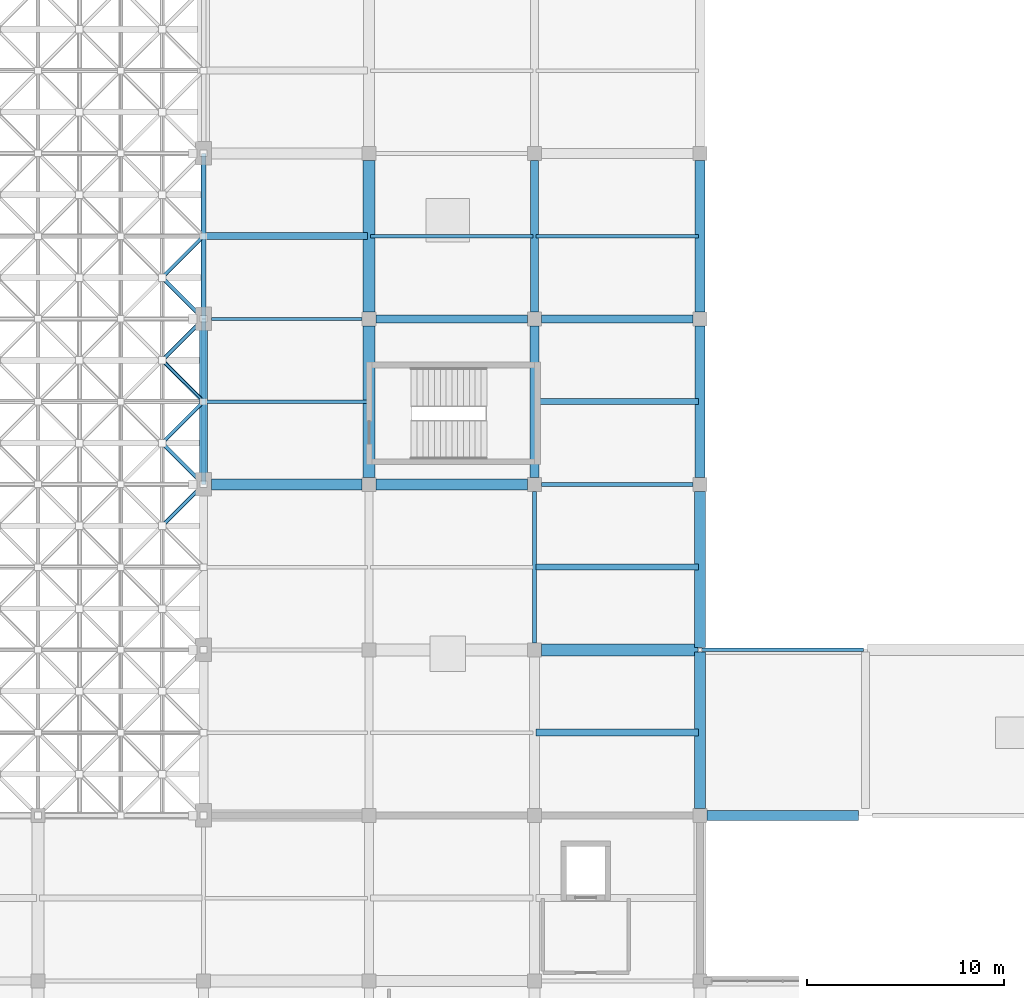
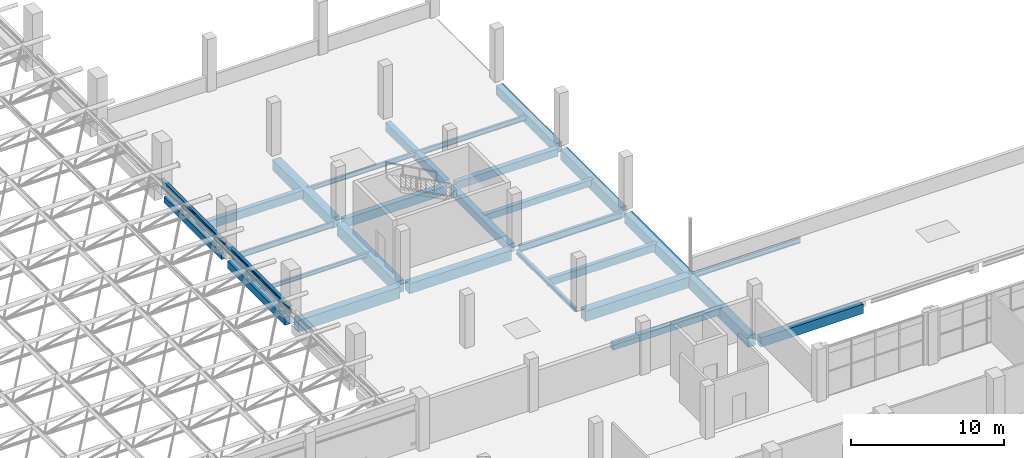
# One storey, part 18 of 64: 29 beams, 7 members.
"""IFC4 building model written with IfcOpenShell, lengths in metres."""

from ifc_helpers import new_model, si_unit, derived_unit, direction, frame, origin, origin_2d, place, context, subcontext, project, spatial, rectangle, hollow_circle, i_section, extrude, material, material_profile, profile_set, type_object, element, save


model = new_model("IFC4")

# Units and contexts
model_context = context("Model", 3, precision=1e-05, world=origin(), true_north=direction((0.0, 1.0)))
body_context = subcontext(model_context, "Body", "Model", "MODEL_VIEW")
ifc_project = project(units=[si_unit("LENGTHUNIT", "METRE"), si_unit("AREAUNIT", "SQUARE_METRE"), si_unit("VOLUMEUNIT", "CUBIC_METRE"), si_unit("PLANEANGLEUNIT", "RADIAN"), si_unit("MASSUNIT", "GRAM", prefix="KILO"), derived_unit("THERMALTRANSMITTANCEUNIT", [(si_unit("POWERUNIT", "WATT"), 1), (si_unit("LENGTHUNIT", "METRE"), -2), (si_unit("THERMODYNAMICTEMPERATUREUNIT", "KELVIN"), -1)])], contexts=[model_context])

# Site, building, storey
site_placement = place(None, origin())
site = spatial("IfcSite", under=ifc_project, at=site_placement, CompositionType="ELEMENT")
building_placement = place(site_placement, origin())
building = spatial("IfcBuilding", under=site, at=building_placement, Name="Barrovel Congress Hotel", CompositionType="ELEMENT")
storey_placement = place(building_placement, frame((0.0, 0.0, 14.10009765625)))
storey = spatial("IfcBuildingStorey", under=building, at=storey_placement, Name="L03", CompositionType="ELEMENT", Elevation=14.10009765625)

# Beams
ifc_material_1 = material(Name="Concrete C40", Category="concrete")
ifc_material_profile_1 = material_profile(ifc_material_1, rectangle(XDim=0.25, YDim=0.5, at=origin_2d()), Name="RC250x500")
ifc_profile_set_1 = profile_set([ifc_material_profile_1], Name="Concrete C40")
beam_type_1 = type_object("IfcBeamType", Name="BM-RC250x500", PredefinedType="SPANDREL", material=ifc_profile_set_1)
beam_1_placement = place(storey_placement, frame((33.60009765625, 63.449951171875, -0.489990234375), z_axis=(0.0, 1.0, 0.0), x_axis=(-1.0, 0.0, 0.0)))
element("IfcBeam", 1, at=beam_1_placement, inside=storey, type_object=beam_type_1, Name="BMY:L03:33.6:63.0-71.4", PredefinedType="SPANDREL", context=body_context, shape_type="SweptSolid", body=[
    extrude(rectangle(XDim=0.25, YDim=0.5, at=origin_2d()), origin(), (0.0, 0.0, 1.0), 7.5),
])
ifc_material_profile_2 = material_profile(ifc_material_1, rectangle(XDim=0.300048828125, YDim=0.5, at=origin_2d()), Name="RC300x500")
ifc_profile_set_2 = profile_set([ifc_material_profile_2], Name="Concrete C40")
beam_type_2 = type_object("IfcBeamType", Name="BM-RC300x500", PredefinedType="JOIST", material=ifc_profile_set_2)
beam_2_placement = place(storey_placement, frame((50.47998046875, 58.800048828125, -0.489990234375), z_axis=(1.0, 0.0, 0.0), x_axis=(0.0, 1.0, 0.0)))
element("IfcBeam", 2, at=beam_2_placement, inside=storey, type_object=beam_type_2, Name="JST:L03:50.4:58.8", PredefinedType="JOIST", context=body_context, shape_type="SweptSolid", body=[
    extrude(rectangle(XDim=0.300048828125, YDim=0.5, at=origin_2d()), origin(), (0.0, 0.0, 1.0), 8.239990234375),
])
ifc_material_profile_3 = material_profile(ifc_material_1, rectangle(XDim=0.300048828125, YDim=0.60009765625, at=origin_2d()), Name="RC300x600")
ifc_profile_set_3 = profile_set([ifc_material_profile_3], Name="Concrete C40")
beam_type_3 = type_object("IfcBeamType", Name="BM-RC300x600", PredefinedType="JOIST", material=ifc_profile_set_3)
beam_3_placement = place(storey_placement, frame((50.47998046875, 50.39990234375, -0.5400390625), z_axis=(1.0, 0.0, 0.0), x_axis=(0.0, 1.0, 0.0)))
element("IfcBeam", 3, at=beam_3_placement, inside=storey, type_object=beam_type_3, Name="JST:L03:50.4:50.4", PredefinedType="JOIST", context=body_context, shape_type="SweptSolid", body=[
    extrude(rectangle(XDim=0.300048828125, YDim=0.60009765625, at=origin_2d()), origin(), (0.0, 0.0, 1.0), 8.239990234375),
])
ifc_material_profile_4 = material_profile(ifc_material_1, rectangle(XDim=0.35009765625, YDim=0.550048828125, at=origin_2d()), Name="RC350x550")
ifc_profile_set_4 = profile_set([ifc_material_profile_4], Name="Concrete C40")
beam_type_4 = type_object("IfcBeamType", Name="BM-RC350x550", PredefinedType="JOIST", material=ifc_profile_set_4)
beam_4_placement = place(storey_placement, frame((50.47998046875, 42.0, -0.51513671875), z_axis=(1.0, 0.0, 0.0), x_axis=(0.0, 1.0, 0.0)))
element("IfcBeam", 4, at=beam_4_placement, inside=storey, type_object=beam_type_4, Name="JST:L03:50.4:42.0", PredefinedType="JOIST", context=body_context, shape_type="SweptSolid", body=[
    extrude(rectangle(XDim=0.35009765625, YDim=0.550048828125, at=origin_2d()), origin(), (0.0, 0.0, 1.0), 8.239990234375),
])
ifc_material_profile_5 = material_profile(ifc_material_1, rectangle(XDim=0.35009765625, YDim=0.64990234375, at=origin_2d()), Name="RC350x650")
ifc_profile_set_5 = profile_set([ifc_material_profile_5], Name="Concrete C40")
beam_type_5 = type_object("IfcBeamType", Name="BM-RC350x650", PredefinedType="JOIST", material=ifc_profile_set_5)
beam_5_placement = place(storey_placement, frame((33.679931640625, 67.199951171875, -0.565185546875), z_axis=(1.0, 0.0, 0.0), x_axis=(0.0, 1.0, 0.0)))
element("IfcBeam", 5, at=beam_5_placement, inside=storey, type_object=beam_type_5, Name="JST:L03:33.6:67.2", PredefinedType="JOIST", context=body_context, shape_type="SweptSolid", body=[
    extrude(rectangle(XDim=0.35009765625, YDim=0.64990234375, at=origin_2d()), origin(), (0.0, 0.0, 1.0), 8.239990234375),
])
ifc_material_profile_6 = material_profile(ifc_material_1, rectangle(XDim=0.39990234375, YDim=0.60009765625, at=origin_2d()), Name="RC400x600")
ifc_profile_set_6 = profile_set([ifc_material_profile_6], Name="Concrete C40")
beam_type_6 = type_object("IfcBeamType", Name="BM-RC400x600", PredefinedType="BEAM", material=ifc_profile_set_6)
beam_6_placement = place(storey_placement, frame((50.75, 63.0, -0.5400390625), z_axis=(1.0, 0.0, 0.0), x_axis=(0.0, 1.0, 0.0)))
element("IfcBeam", 6, at=beam_6_placement, inside=storey, type_object=beam_type_6, Name="BMX:L03:63.0:50.4-58.8", PredefinedType="BEAM", context=body_context, shape_type="SweptSolid", body=[
    extrude(rectangle(XDim=0.39990234375, YDim=0.60009765625, at=origin_2d()), origin(), (0.0, 0.0, 1.0), 7.699951171875),
])
beam_7_placement = place(storey_placement, frame((33.60009765625, 55.050048828125, -0.5400390625), z_axis=(0.0, 1.0, 0.0), x_axis=(-1.0, 0.0, 0.0)))
element("IfcBeam", 7, at=beam_7_placement, inside=storey, type_object=beam_type_6, Name="BMY:L03:33.6:54.6-63.0", PredefinedType="BEAM", context=body_context, shape_type="SweptSolid", body=[
    extrude(rectangle(XDim=0.39990234375, YDim=0.60009765625, at=origin_2d()), origin(), (0.0, 0.0, 1.0), 7.5),
])
ifc_material_profile_7 = material_profile(ifc_material_1, rectangle(XDim=0.39990234375, YDim=0.699951171875, at=origin_2d()), Name="RC400x700")
ifc_profile_set_7 = profile_set([ifc_material_profile_7], Name="Concrete C40")
beam_type_7 = type_object("IfcBeamType", Name="BM-RC400x700", PredefinedType="BEAM", material=ifc_profile_set_7)
for number, where, z_axis, x_axis, name in (
    (8, (42.35009765625, 63.0, -0.590087890625), (1.0, 0.0, 0.0), (0.0, 1.0, 0.0), "BMX:L03:63.0:42.0-50.4"),
    (9, (50.39990234375, 63.35009765625, -0.590087890625), (0.0, 1.0, 0.0), (-1.0, 0.0, 0.0), "BMY:L03:50.4:63.0-71.4"),
):
    element("IfcBeam", number, at=place(storey_placement, frame(where, z_axis=z_axis, x_axis=x_axis)), inside=storey, type_object=beam_type_7, Name=name, PredefinedType="BEAM", context=body_context, shape_type="SweptSolid", body=[
        extrude(rectangle(XDim=0.39990234375, YDim=0.699951171875, at=origin_2d()), origin(), (0.0, 0.0, 1.0), 7.699951171875),
    ])
ifc_material_profile_8 = material_profile(ifc_material_1, rectangle(XDim=0.449951171875, YDim=0.64990234375, at=origin_2d()), Name="RC450x650")
ifc_profile_set_8 = profile_set([ifc_material_profile_8], Name="Concrete C40")
beam_type_8 = type_object("IfcBeamType", Name="BM-RC450x650", PredefinedType="BEAM", material=ifc_profile_set_8)
beam_8_placement = place(storey_placement, frame((50.39990234375, 54.949951171875, -0.565185546875), z_axis=(0.0, 1.0, 0.0), x_axis=(-1.0, 0.0, 0.0)))
element("IfcBeam", 10, at=beam_8_placement, inside=storey, type_object=beam_type_8, Name="BMY:L03:50.4:54.6-63.0", PredefinedType="BEAM", context=body_context, shape_type="SweptSolid", body=[
    extrude(rectangle(XDim=0.449951171875, YDim=0.64990234375, at=origin_2d()), origin(), (0.0, 0.0, 1.0), 7.699951171875),
])
ifc_material_profile_9 = material_profile(ifc_material_1, rectangle(XDim=0.5, YDim=0.75, at=origin_2d()), Name="RC500x750")
ifc_profile_set_9 = profile_set([ifc_material_profile_9], Name="Concrete C40")
beam_type_9 = type_object("IfcBeamType", Name="BM-RC500x750", PredefinedType="BEAM", material=ifc_profile_set_9)
beam_9_placement = place(storey_placement, frame((59.14990234375, 37.800048828125, -0.614990234375), z_axis=(1.0, 0.0, 0.0), x_axis=(0.0, 1.0, 0.0)))
element("IfcBeam", 11, at=beam_9_placement, inside=storey, type_object=beam_type_9, Name="BMX:L03:37.8:58.8-67.2", PredefinedType="BEAM", context=body_context, shape_type="SweptSolid", body=[
    extrude(rectangle(XDim=0.5, YDim=0.75, at=origin_2d()), origin(), (0.0, 0.0, 1.0), 7.7001953125),
])
beam_10_placement = place(storey_placement, frame((58.800048828125, 63.35009765625, -0.614990234375), z_axis=(0.0, 1.0, 0.0), x_axis=(-1.0, 0.0, 0.0)))
element("IfcBeam", 12, at=beam_10_placement, inside=storey, type_object=beam_type_9, Name="BMY:L03:58.8:63.0-71.4", PredefinedType="BEAM", context=body_context, shape_type="SweptSolid", body=[
    extrude(rectangle(XDim=0.5, YDim=0.75, at=origin_2d()), origin(), (0.0, 0.0, 1.0), 7.699951171875),
])
ifc_material_profile_10 = material_profile(ifc_material_1, rectangle(XDim=0.5, YDim=0.85009765625, at=origin_2d()), Name="RC500x850")
ifc_profile_set_10 = profile_set([ifc_material_profile_10], Name="Concrete C40")
beam_type_10 = type_object("IfcBeamType", Name="BM-RC500x850", PredefinedType="BEAM", material=ifc_profile_set_10)
beam_11_placement = place(storey_placement, frame((58.800048828125, 54.949951171875, -0.6650390625), z_axis=(0.0, 1.0, 0.0), x_axis=(-1.0, 0.0, 0.0)))
element("IfcBeam", 13, at=beam_11_placement, inside=storey, type_object=beam_type_10, Name="BMY:L03:58.8:54.6-63.0", PredefinedType="BEAM", context=body_context, shape_type="SweptSolid", body=[
    extrude(rectangle(XDim=0.5, YDim=0.85009765625, at=origin_2d()), origin(), (0.0, 0.0, 1.0), 7.699951171875),
])
ifc_material_profile_11 = material_profile(ifc_material_1, rectangle(XDim=0.550048828125, YDim=0.800048828125, at=origin_2d()), Name="RC550x800")
ifc_profile_set_11 = profile_set([ifc_material_profile_11], Name="Concrete C40")
beam_type_11 = type_object("IfcBeamType", Name="BM-RC550x800", PredefinedType="BEAM", material=ifc_profile_set_11)
beam_12_placement = place(storey_placement, frame((42.35009765625, 54.60009765625, -0.64013671875), z_axis=(1.0, 0.0, 0.0), x_axis=(0.0, 1.0, 0.0)))
element("IfcBeam", 14, at=beam_12_placement, inside=storey, type_object=beam_type_11, Name="BMX:L03:54.6:42.0-50.4", PredefinedType="BEAM", context=body_context, shape_type="SweptSolid", body=[
    extrude(rectangle(XDim=0.550048828125, YDim=0.800048828125, at=origin_2d()), origin(), (0.0, 0.0, 1.0), 7.699951171875),
])
beam_13_placement = place(storey_placement, frame((58.800048828125, 46.3095703125, -0.64013671875), z_axis=(0.0, 1.0, 0.0), x_axis=(-1.0, 0.0, 0.0)))
element("IfcBeam", 15, at=beam_13_placement, inside=storey, type_object=beam_type_11, Name="BMY:L03:58.8:46.2-54.6", PredefinedType="BEAM", context=body_context, shape_type="SweptSolid", body=[
    extrude(rectangle(XDim=0.550048828125, YDim=0.800048828125, at=origin_2d()), origin(), (0.0, 0.0, 1.0), 7.9404296875),
])
ifc_material_profile_12 = material_profile(ifc_material_1, rectangle(XDim=0.550048828125, YDim=0.89990234375, at=origin_2d()), Name="RC550x900")
ifc_profile_set_12 = profile_set([ifc_material_profile_12], Name="Concrete C40")
beam_type_12 = type_object("IfcBeamType", Name="BM-RC550x900", PredefinedType="BEAM", material=ifc_profile_set_12)
beam_14_placement = place(storey_placement, frame((34.0, 54.60009765625, -0.690185546875), z_axis=(1.0, 0.0, 0.0), x_axis=(0.0, 1.0, 0.0)))
element("IfcBeam", 16, at=beam_14_placement, inside=storey, type_object=beam_type_12, Name="BMX:L03:54.6:33.6-42.0", PredefinedType="BEAM", context=body_context, shape_type="SweptSolid", body=[
    extrude(rectangle(XDim=0.550048828125, YDim=0.89990234375, at=origin_2d()), origin(), (0.0, 0.0, 1.0), 7.64990234375),
])
beam_15_placement = place(storey_placement, frame((58.800048828125, 38.14990234375, -0.690185546875), z_axis=(0.0, 1.0, 0.0), x_axis=(-1.0, 0.0, 0.0)))
element("IfcBeam", 17, at=beam_15_placement, inside=storey, type_object=beam_type_12, Name="BMY:L03:58.8:37.8-46.2", PredefinedType="BEAM", context=body_context, shape_type="SweptSolid", body=[
    extrude(rectangle(XDim=0.550048828125, YDim=0.89990234375, at=origin_2d()), origin(), (0.0, 0.0, 1.0), 7.940673828125),
])
ifc_material_profile_13 = material_profile(ifc_material_1, rectangle(XDim=0.60009765625, YDim=0.85009765625, at=origin_2d()), Name="RC600x850")
ifc_profile_set_13 = profile_set([ifc_material_profile_13], Name="Concrete C40")
beam_type_13 = type_object("IfcBeamType", Name="BM-RC600x850", PredefinedType="BEAM", material=ifc_profile_set_13)
beam_16_placement = place(storey_placement, frame((50.75, 46.199951171875, -0.6650390625), z_axis=(1.0, 0.0, 0.0), x_axis=(0.0, 1.0, 0.0)))
element("IfcBeam", 18, at=beam_16_placement, inside=storey, type_object=beam_type_13, Name="BMX:L03:46.2:50.4-58.8", PredefinedType="BEAM", context=body_context, shape_type="SweptSolid", body=[
    extrude(rectangle(XDim=0.60009765625, YDim=0.85009765625, at=origin_2d()), origin(), (0.0, 0.0, 1.0), 7.9404296875),
])
beam_17_placement = place(storey_placement, frame((42.0, 63.35009765625, -0.6650390625), z_axis=(0.0, 1.0, 0.0), x_axis=(-1.0, 0.0, 0.0)))
element("IfcBeam", 19, at=beam_17_placement, inside=storey, type_object=beam_type_13, Name="BMY:L03:42.0:63.0-71.4", PredefinedType="BEAM", context=body_context, shape_type="SweptSolid", body=[
    extrude(rectangle(XDim=0.60009765625, YDim=0.85009765625, at=origin_2d()), origin(), (0.0, 0.0, 1.0), 7.699951171875),
])
ifc_material_profile_14 = material_profile(ifc_material_1, rectangle(XDim=0.60009765625, YDim=0.949951171875, at=origin_2d()), Name="RC600x950")
ifc_profile_set_14 = profile_set([ifc_material_profile_14], Name="Concrete C40")
beam_type_14 = type_object("IfcBeamType", Name="BM-RC600x950", PredefinedType="BEAM", material=ifc_profile_set_14)
beam_18_placement = place(storey_placement, frame((42.0, 54.949951171875, -0.715087890625), z_axis=(0.0, 1.0, 0.0), x_axis=(-1.0, 0.0, 0.0)))
element("IfcBeam", 20, at=beam_18_placement, inside=storey, type_object=beam_type_14, Name="BMY:L03:42.0:54.6-63.0", PredefinedType="BEAM", context=body_context, shape_type="SweptSolid", body=[
    extrude(rectangle(XDim=0.60009765625, YDim=0.949951171875, at=origin_2d()), origin(), (0.0, 0.0, 1.0), 7.699951171875),
])

# Members
ifc_material_2 = material(Name="Steel ASTM A500 Grade C", Category="steel")
ifc_material_profile_15 = material_profile(ifc_material_2, hollow_circle(Radius=0.096923828125, WallThickness=0.0087890625, at=origin_2d()), Name="CHS193.7x9.5")
ifc_profile_set_15 = profile_set([ifc_material_profile_15], Name="Steel ASTM A500 Grade C")
member_type = type_object("IfcMemberType", Name="MEM-CHS193.7x9.5", PredefinedType="BRACE", material=ifc_profile_set_15)
member_1_placement = place(storey_placement, frame((33.60009765625, 54.60009765625, 0.599853515625), z_axis=(-0.527601167383, -0.527601167383, 0.665788266908), x_axis=(0.707106781187, -0.707106781187, 0.0)))
element("IfcMember", 21, at=member_1_placement, inside=storey, type_object=member_type, Name="Space Frame Roof Truss Diagonal 7-3-4", PredefinedType="BRACE", context=body_context, shape_type="SweptSolid", body=[
    extrude(hollow_circle(Radius=0.096923828125, WallThickness=0.0087890625, at=origin_2d()), origin(), (0.0, 0.0, 1.0), 3.98046875),
])
member_2_placement = place(storey_placement, frame((33.60009765625, 54.60009765625, 0.599853515625), z_axis=(-0.527618240532, 0.527556903839, 0.665809811786), x_axis=(-0.707065676302, -0.707147883682, 0.0)))
element("IfcMember", 22, at=member_2_placement, inside=storey, type_object=member_type, Name="Space Frame Roof Truss Diagonal 7-4-2", PredefinedType="BRACE", context=body_context, shape_type="SweptSolid", body=[
    extrude(hollow_circle(Radius=0.096923828125, WallThickness=0.0087890625, at=origin_2d()), origin(), (0.0, 0.0, 1.0), 3.980224609375),
])
member_3_placement = place(storey_placement, frame((33.60009765625, 58.800048828125, 0.599853515625), z_axis=(-0.527601167383, -0.527601167383, 0.665788266908), x_axis=(0.707106781187, -0.707106781187, 0.0)))
element("IfcMember", 23, at=member_3_placement, inside=storey, type_object=member_type, Name="Space Frame Roof Truss Diagonal 7-4-4", PredefinedType="BRACE", context=body_context, shape_type="SweptSolid", body=[
    extrude(hollow_circle(Radius=0.096923828125, WallThickness=0.0087890625, at=origin_2d()), origin(), (0.0, 0.0, 1.0), 3.98046875),
])
member_4_placement = place(storey_placement, frame((33.60009765625, 58.800048828125, 0.599853515625), z_axis=(-0.527618240532, 0.527556903839, 0.665809811786), x_axis=(-0.707065676302, -0.707147883682, 0.0)))
element("IfcMember", 24, at=member_4_placement, inside=storey, type_object=member_type, Name="Space Frame Roof Truss Diagonal 7-5-2", PredefinedType="BRACE", context=body_context, shape_type="SweptSolid", body=[
    extrude(hollow_circle(Radius=0.096923828125, WallThickness=0.0087890625, at=origin_2d()), origin(), (0.0, 0.0, 1.0), 3.980224609375),
])
for number, where, z_axis, x_axis, name in (
    (25, (33.60009765625, 63.0, 0.599853515625), (-0.527601167383, -0.527601167383, 0.665788266908), (0.707106781187, -0.707106781187, 0.0), "Space Frame Roof Truss Diagonal 7-5-4"),
    (26, (33.60009765625, 63.0, 0.599853515625), (-0.527601167383, 0.527601167383, 0.665788266908), (-0.707106781187, -0.707106781187, 0.0), "Space Frame Roof Truss Diagonal 7-6-2"),
):
    element("IfcMember", number, at=place(storey_placement, frame(where, z_axis=z_axis, x_axis=x_axis)), inside=storey, type_object=member_type, Name=name, PredefinedType="BRACE", context=body_context, shape_type="SweptSolid", body=[
        extrude(hollow_circle(Radius=0.096923828125, WallThickness=0.0087890625, at=origin_2d()), origin(), (0.0, 0.0, 1.0), 3.98046875),
    ])
member_5_placement = place(storey_placement, frame((33.60009765625, 67.199951171875, 0.599853515625), z_axis=(-0.527618240532, -0.527556903839, 0.665809811786), x_axis=(0.707065676302, -0.707147883682, 0.0)))
element("IfcMember", 27, at=member_5_placement, inside=storey, type_object=member_type, Name="Space Frame Roof Truss Diagonal 7-6-4", PredefinedType="BRACE", context=body_context, shape_type="SweptSolid", body=[
    extrude(hollow_circle(Radius=0.096923828125, WallThickness=0.0087890625, at=origin_2d()), origin(), (0.0, 0.0, 1.0), 3.980224609375),
])

# Beams
ifc_material_3 = material(Name="Steel ASTM A992 Grade 50", Category="steel")
ifc_material_profile_16 = material_profile(ifc_material_3, i_section(OverallWidth=0.1650390625, OverallDepth=0.31005859375, WebThickness=0.005859375, FlangeThickness=0.009765625, FilletRadius=0.010986328125, at=origin_2d()), Name="W310x39")
ifc_profile_set_16 = profile_set([ifc_material_profile_16], Name="Steel ASTM A992 Grade 50")
beam_type_15 = type_object("IfcBeamType", Name="SBM-W310x39", PredefinedType="JOIST", material=ifc_profile_set_16)
beam_19_placement = place(storey_placement, frame((33.679931640625, 58.800048828125, -0.39501953125), z_axis=(1.0, 0.0, 0.0), x_axis=(0.0, 1.0, 0.0)))
element("IfcBeam", 28, at=beam_19_placement, inside=storey, type_object=beam_type_15, Name="JST:L03:33.6:58.8", PredefinedType="JOIST", context=body_context, shape_type="SweptSolid", body=[
    extrude(i_section(OverallWidth=0.1650390625, OverallDepth=0.31005859375, WebThickness=0.005859375, FlangeThickness=0.009765625, FilletRadius=0.010986328125, at=origin_2d()), origin(), (0.0, 0.0, 1.0), 8.239990234375),
])
ifc_material_profile_17 = material_profile(ifc_material_3, i_section(OverallWidth=0.205078125, OverallDepth=0.31005859375, WebThickness=0.009521484375, FlangeThickness=0.016357421875, FilletRadius=0.012939453125, at=origin_2d()), Name="W310x74")
ifc_profile_set_17 = profile_set([ifc_material_profile_17], Name="Steel ASTM A992 Grade 50")
beam_type_16 = type_object("IfcBeamType", Name="SBM-W310x74", PredefinedType="SPANDREL", material=ifc_profile_set_17)
beam_20_placement = place(storey_placement, frame((50.39990234375, 46.550048828125, -0.39501953125), z_axis=(0.0, 1.0, 0.0), x_axis=(-1.0, 0.0, 0.0)))
element("IfcBeam", 29, at=beam_20_placement, inside=storey, type_object=beam_type_16, Name="BMY:L03:50.4:46.2-54.6", PredefinedType="SPANDREL", context=body_context, shape_type="SweptSolid", body=[
    extrude(i_section(OverallWidth=0.205078125, OverallDepth=0.31005859375, WebThickness=0.009521484375, FlangeThickness=0.016357421875, FilletRadius=0.012939453125, at=origin_2d()), origin(), (0.0, 0.0, 1.0), 7.699951171875),
])
ifc_material_profile_18 = material_profile(ifc_material_3, i_section(OverallWidth=0.1708984375, OverallDepth=0.35205078125, WebThickness=0.0068359375, FlangeThickness=0.009765625, FilletRadius=0.011962890625, at=origin_2d()), Name="W360x44")
ifc_profile_set_18 = profile_set([ifc_material_profile_18], Name="Steel ASTM A992 Grade 50")
beam_type_17 = type_object("IfcBeamType", Name="SBM-W360x44", PredefinedType="JOIST", material=ifc_profile_set_18)
beam_21_placement = place(storey_placement, frame((42.080078125, 67.199951171875, -0.416015625), z_axis=(1.0, 0.0, 0.0), x_axis=(0.0, 1.0, 0.0)))
element("IfcBeam", 30, at=beam_21_placement, inside=storey, type_object=beam_type_17, Name="JST:L03:42.0:67.2", PredefinedType="JOIST", context=body_context, shape_type="SweptSolid", body=[
    extrude(i_section(OverallWidth=0.1708984375, OverallDepth=0.35205078125, WebThickness=0.0068359375, FlangeThickness=0.009765625, FilletRadius=0.011962890625, at=origin_2d()), origin(), (0.0, 0.0, 1.0), 8.239990234375),
])
ifc_material_profile_19 = material_profile(ifc_material_3, i_section(OverallWidth=0.177001953125, OverallDepth=0.403076171875, WebThickness=0.007568359375, FlangeThickness=0.010986328125, FilletRadius=0.011962890625, at=origin_2d()), Name="W410x53")
ifc_profile_set_19 = profile_set([ifc_material_profile_19], Name="Steel ASTM A992 Grade 50")
beam_type_18 = type_object("IfcBeamType", Name="SBM-W410x53", PredefinedType="JOIST", material=ifc_profile_set_19)
beam_22_placement = place(storey_placement, frame((50.47998046875, 67.199951171875, -0.441650390625), z_axis=(1.0, 0.0, 0.0), x_axis=(0.0, 1.0, 0.0)))
element("IfcBeam", 31, at=beam_22_placement, inside=storey, type_object=beam_type_18, Name="JST:L03:50.4:67.2", PredefinedType="JOIST", context=body_context, shape_type="SweptSolid", body=[
    extrude(i_section(OverallWidth=0.177001953125, OverallDepth=0.403076171875, WebThickness=0.007568359375, FlangeThickness=0.010986328125, FilletRadius=0.011962890625, at=origin_2d()), origin(), (0.0, 0.0, 1.0), 8.239990234375),
])
ifc_material_profile_20 = material_profile(ifc_material_3, i_section(OverallWidth=0.178955078125, OverallDepth=0.409912109375, WebThickness=0.0087890625, FlangeThickness=0.014404296875, FilletRadius=0.011962890625, at=origin_2d()), Name="W410x67")
ifc_profile_set_20 = profile_set([ifc_material_profile_20], Name="Steel ASTM A992 Grade 50")
beam_type_19 = type_object("IfcBeamType", Name="SBM-W410x67", PredefinedType="BEAM", material=ifc_profile_set_20)
beam_23_placement = place(storey_placement, frame((58.909423828125, 46.199951171875, -0.445068359375), z_axis=(1.0, 0.0, 0.0), x_axis=(0.0, 1.0, 0.0)))
element("IfcBeam", 32, at=beam_23_placement, inside=storey, type_object=beam_type_19, Name="BMX:L03:46.2:58.8-67.2", PredefinedType="BEAM", context=body_context, shape_type="SweptSolid", body=[
    extrude(i_section(OverallWidth=0.178955078125, OverallDepth=0.409912109375, WebThickness=0.0087890625, FlangeThickness=0.014404296875, FilletRadius=0.011962890625, at=origin_2d()), origin(), (0.0, 0.0, 1.0), 8.18115234375),
])
ifc_material_profile_21 = material_profile(ifc_material_3, i_section(OverallWidth=0.154052734375, OverallDepth=0.458984375, WebThickness=0.009033203125, FlangeThickness=0.015380859375, FilletRadius=0.012939453125, at=origin_2d()), Name="W460x68")
ifc_profile_set_21 = profile_set([ifc_material_profile_21], Name="Steel ASTM A992 Grade 50")
beam_type_20 = type_object("IfcBeamType", Name="SBM-W460x68", PredefinedType="BEAM", material=ifc_profile_set_21)
beam_24_placement = place(storey_placement, frame((34.0, 63.0, -0.469482421875), z_axis=(1.0, 0.0, 0.0), x_axis=(0.0, 1.0, 0.0)))
element("IfcBeam", 33, at=beam_24_placement, inside=storey, type_object=beam_type_20, Name="BMX:L03:63.0:33.6-42.0", PredefinedType="BEAM", context=body_context, shape_type="SweptSolid", body=[
    extrude(i_section(OverallWidth=0.154052734375, OverallDepth=0.458984375, WebThickness=0.009033203125, FlangeThickness=0.015380859375, FilletRadius=0.012939453125, at=origin_2d()), origin(), (0.0, 0.0, 1.0), 7.64990234375),
])
ifc_material_profile_22 = material_profile(ifc_material_3, i_section(OverallWidth=0.208984375, OverallDepth=0.532958984375, WebThickness=0.01025390625, FlangeThickness=0.015625, FilletRadius=0.013916015625, at=origin_2d()), Name="W530x92")
ifc_profile_set_22 = profile_set([ifc_material_profile_22], Name="Steel ASTM A992 Grade 50")
beam_type_21 = type_object("IfcBeamType", Name="SBM-W530x92", PredefinedType="BEAM", material=ifc_profile_set_22)
beam_25_placement = place(storey_placement, frame((50.75, 54.60009765625, -0.506591796875), z_axis=(1.0, 0.0, 0.0), x_axis=(0.0, 1.0, 0.0)))
element("IfcBeam", 34, at=beam_25_placement, inside=storey, type_object=beam_type_21, Name="BMX:L03:54.6:50.4-58.8", PredefinedType="BEAM", context=body_context, shape_type="SweptSolid", body=[
    extrude(i_section(OverallWidth=0.208984375, OverallDepth=0.532958984375, WebThickness=0.01025390625, FlangeThickness=0.015625, FilletRadius=0.013916015625, at=origin_2d()), origin(), (0.0, 0.0, 1.0), 7.699951171875),
])
ifc_material_profile_23 = material_profile(ifc_material_3, i_section(OverallWidth=0.22900390625, OverallDepth=0.612060546875, WebThickness=0.011962890625, FlangeThickness=0.01953125, FilletRadius=0.014892578125, at=origin_2d()), Name="W610x125")
ifc_profile_set_23 = profile_set([ifc_material_profile_23], Name="Steel ASTM A992 Grade 50")
beam_type_22 = type_object("IfcBeamType", Name="SBM-W610x125", PredefinedType="BEAM", material=ifc_profile_set_23)
for number, where, z_axis, x_axis, name in (
    (35, (33.60009765625, 54.60009765625, 0.599853515625), (0.0, 1.0, 0.0), (-1.0, 0.0, 0.0), "Congress Roof Truss Collector Beam 34-3"),
    (36, (33.60009765625, 63.0, 0.599853515625), (0.0, 1.0, 0.0), (-1.0, 0.0, 0.0), "Congress Roof Truss Collector Beam 34-4"),
):
    element("IfcBeam", number, at=place(storey_placement, frame(where, z_axis=z_axis, x_axis=x_axis)), inside=storey, type_object=beam_type_22, Name=name, PredefinedType="BEAM", context=body_context, shape_type="SweptSolid", body=[
        extrude(i_section(OverallWidth=0.22900390625, OverallDepth=0.612060546875, WebThickness=0.011962890625, FlangeThickness=0.01953125, FilletRadius=0.014892578125, at=origin_2d()), origin(), (0.0, 0.0, 1.0), 8.39990234375),
    ])

save(model, "model.ifc")
